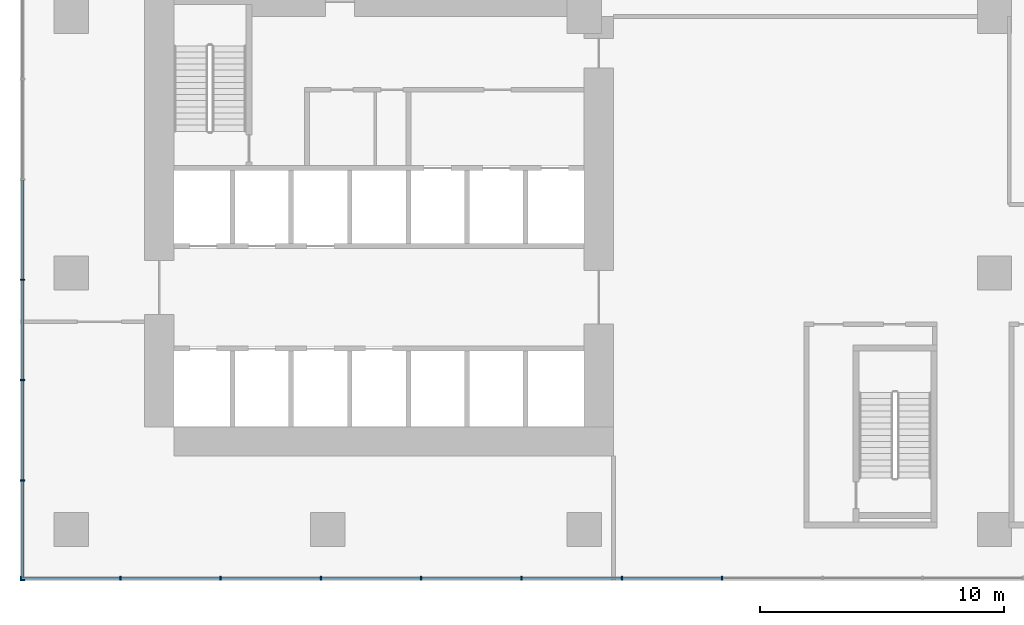
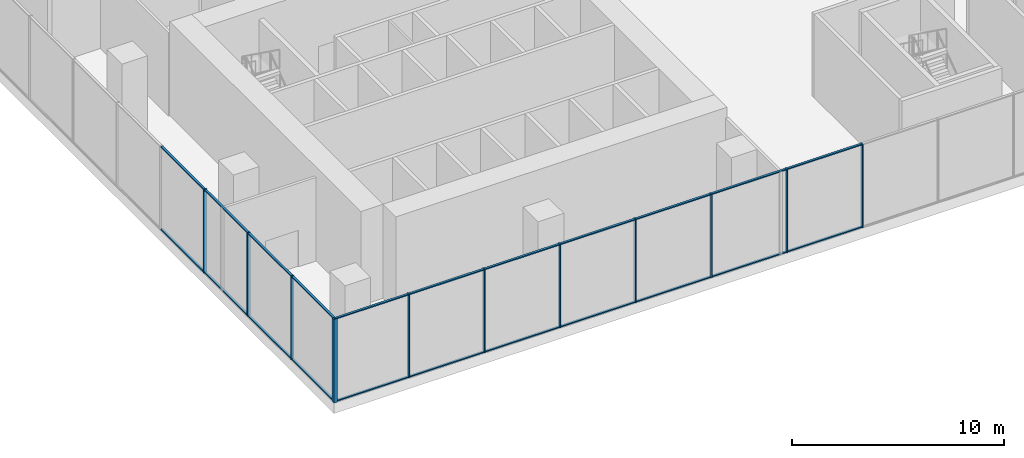
# One storey, part 2 of 23: 34 members, 2 elements without a shape of their own.
"""IFC4 building model written with IfcOpenShell, lengths in metres."""

from ifc_helpers import new_model, si_unit, direction, frame, origin, origin_2d, place, context, subcontext, project, spatial, rectangle, extrude, source, transform, mapped, material, layer, layer_set, material_profile, profile_set, type_object, element, aggregate, save


model = new_model("IFC4")

# Units and contexts
model_context = context("Model", 3, precision=1e-05, world=origin(), true_north=direction((0.0, 1.0)))
body_context = subcontext(model_context, "Body", "Model", "MODEL_VIEW")
ifc_project = project(units=[si_unit("LENGTHUNIT", "METRE"), si_unit("AREAUNIT", "SQUARE_METRE"), si_unit("VOLUMEUNIT", "CUBIC_METRE"), si_unit("PLANEANGLEUNIT", "RADIAN"), si_unit("MASSUNIT", "GRAM", prefix="KILO")], contexts=[model_context])

# Site, building, storey
site_placement = place(None, origin())
site = spatial("IfcSite", under=ifc_project, at=site_placement, CompositionType="ELEMENT")
building_placement = place(site_placement, origin())
building = spatial("IfcBuilding", under=site, at=building_placement, Name="Aurelian Terraces", CompositionType="ELEMENT")
storey_placement = place(building_placement, frame((0.0, 0.0, 23.7)))
storey = spatial("IfcBuildingStorey", under=building, at=storey_placement, Name="L04", CompositionType="ELEMENT", Elevation=23.7)

# Curtain wall, members
ifc_material_1 = material(Name="Anodised aluminium and clear glazing", Category="aluminium")
ifc_layer = layer(ifc_material_1, 0.2)
ifc_layer_set = layer_set([ifc_layer], Name="Winter garden glazing curtain wall")
curtain_wall_type = type_object("IfcCurtainWallType", Name="Winter garden glazing curtain wall", PredefinedType="NOTDEFINED", material=ifc_layer_set)
curtain_wall_1_placement = place(storey_placement, origin())
curtain_wall_1 = element("IfcCurtainWall", 1, at=curtain_wall_1_placement, inside=storey, type_object=curtain_wall_type, Name="Winter garden glazing L04 F01.1", PredefinedType="NOTDEFINED")
ifc_material_2 = material(Name="Anodised aluminium", Category="aluminium")
ifc_material_profile_1 = material_profile(ifc_material_2, rectangle(XDim=0.18, YDim=0.06, at=origin_2d()))
ifc_profile_set_1 = profile_set([ifc_material_profile_1], Name="Anodised aluminium")
member_type_1 = type_object("IfcMemberType", Name="Winter garden glazing mullion", PredefinedType="MULLION", material=ifc_profile_set_1)
shared_shape_1 = source(origin(), body_context, "Body", "SweptSolid", [
    extrude(rectangle(XDim=0.18, YDim=0.06, at=origin_2d()), origin(), (0.0, 0.0, 1.0), 4.8),
])
member_1_placement = place(storey_placement, frame((-2.07, -2.0, 0.0), z_axis=(0.0, 0.0, 1.0), x_axis=(0.0, 1.0, 0.0)))
member_1 = element("IfcMember", 2, at=member_1_placement, type_object=member_type_1, Name="CW6 mullion 1", PredefinedType="MULLION", context=body_context, shape_type="MappedRepresentation", body=[
    mapped(shared_shape_1, transform((0.0, 0.0, 0.0), scale=1.0)),
])
member_2_placement = place(storey_placement, frame((2.0067, -2.0, 0.0), z_axis=(0.0, 0.0, 1.0), x_axis=(0.0, 1.0, 0.0)))
member_2 = element("IfcMember", 3, at=member_2_placement, type_object=member_type_1, Name="CW6 mullion 2", PredefinedType="MULLION", context=body_context, shape_type="MappedRepresentation", body=[
    mapped(shared_shape_1, transform((0.0, 0.0, 0.0), scale=1.0)),
])
member_3_placement = place(storey_placement, frame((6.1133, -2.0, 0.0), z_axis=(0.0, 0.0, 1.0), x_axis=(0.0, 1.0, 0.0)))
member_3 = element("IfcMember", 4, at=member_3_placement, type_object=member_type_1, Name="CW6 mullion 3", PredefinedType="MULLION", context=body_context, shape_type="MappedRepresentation", body=[
    mapped(shared_shape_1, transform((0.0, 0.0, 0.0), scale=1.0)),
])
member_4_placement = place(storey_placement, frame((10.22, -2.0, 0.0), z_axis=(0.0, 0.0, 1.0), x_axis=(0.0, 1.0, 0.0)))
member_4 = element("IfcMember", 5, at=member_4_placement, type_object=member_type_1, Name="CW6 mullion 4", PredefinedType="MULLION", context=body_context, shape_type="MappedRepresentation", body=[
    mapped(shared_shape_1, transform((0.0, 0.0, 0.0), scale=1.0)),
])
member_5_placement = place(storey_placement, frame((14.3267, -2.0, 0.0), z_axis=(0.0, 0.0, 1.0), x_axis=(0.0, 1.0, 0.0)))
member_5 = element("IfcMember", 6, at=member_5_placement, type_object=member_type_1, Name="CW6 mullion 5", PredefinedType="MULLION", context=body_context, shape_type="MappedRepresentation", body=[
    mapped(shared_shape_1, transform((0.0, 0.0, 0.0), scale=1.0)),
])
member_6_placement = place(storey_placement, frame((18.4333, -2.0, 0.0), z_axis=(0.0, 0.0, 1.0), x_axis=(0.0, 1.0, 0.0)))
member_6 = element("IfcMember", 7, at=member_6_placement, type_object=member_type_1, Name="CW6 mullion 6", PredefinedType="MULLION", context=body_context, shape_type="MappedRepresentation", body=[
    mapped(shared_shape_1, transform((0.0, 0.0, 0.0), scale=1.0)),
])
member_7_placement = place(storey_placement, frame((22.54, -2.0, 0.0), z_axis=(0.0, 0.0, 1.0), x_axis=(0.0, 1.0, 0.0)))
member_7 = element("IfcMember", 8, at=member_7_placement, type_object=member_type_1, Name="CW6 mullion 7", PredefinedType="MULLION", context=body_context, shape_type="MappedRepresentation", body=[
    mapped(shared_shape_1, transform((0.0, 0.0, 0.0), scale=1.0)),
])
member_8_placement = place(storey_placement, frame((26.6467, -2.0, 0.0), z_axis=(0.0, 0.0, 1.0), x_axis=(0.0, 1.0, 0.0)))
member_8 = element("IfcMember", 9, at=member_8_placement, type_object=member_type_1, Name="CW6 mullion 8", PredefinedType="MULLION", context=body_context, shape_type="MappedRepresentation", body=[
    mapped(shared_shape_1, transform((0.0, 0.0, 0.0), scale=1.0)),
])

curtain_wall_2_placement = place(storey_placement, origin())
curtain_wall_2 = element("IfcCurtainWall", 10, at=curtain_wall_2_placement, inside=storey, type_object=curtain_wall_type, Name="Winter garden glazing L04 F06.1", PredefinedType="NOTDEFINED")
member_9_placement = place(storey_placement, frame((-2.0, 10.22, 0.0), z_axis=(0.0, 0.0, 1.0), x_axis=(1.0, 0.0, 0.0)))
member_9 = element("IfcMember", 11, at=member_9_placement, type_object=member_type_1, Name="CW6 mullion 16", PredefinedType="MULLION", context=body_context, shape_type="MappedRepresentation", body=[
    mapped(shared_shape_1, transform((0.0, 0.0, 0.0), scale=1.0)),
])
member_10_placement = place(storey_placement, frame((-2.0, 6.1133, 0.0), z_axis=(0.0, 0.0, 1.0), x_axis=(1.0, 0.0, 0.0)))
member_10 = element("IfcMember", 12, at=member_10_placement, type_object=member_type_1, Name="CW6 mullion 17", PredefinedType="MULLION", context=body_context, shape_type="MappedRepresentation", body=[
    mapped(shared_shape_1, transform((0.0, 0.0, 0.0), scale=1.0)),
])
member_11_placement = place(storey_placement, frame((-2.0, 2.0067, 0.0), z_axis=(0.0, 0.0, 1.0), x_axis=(1.0, 0.0, 0.0)))
member_11 = element("IfcMember", 13, at=member_11_placement, type_object=member_type_1, Name="CW6 mullion 18", PredefinedType="MULLION", context=body_context, shape_type="MappedRepresentation", body=[
    mapped(shared_shape_1, transform((0.0, 0.0, 0.0), scale=1.0)),
])
member_12_placement = place(storey_placement, frame((-2.0, -2.07, 0.0), z_axis=(0.0, 0.0, 1.0), x_axis=(1.0, 0.0, 0.0)))
member_12 = element("IfcMember", 14, at=member_12_placement, type_object=member_type_1, Name="CW6 mullion 19", PredefinedType="MULLION", context=body_context, shape_type="MappedRepresentation", body=[
    mapped(shared_shape_1, transform((0.0, 0.0, 0.0), scale=1.0)),
])

# Member
ifc_material_profile_2 = material_profile(ifc_material_2, rectangle(XDim=0.12, YDim=0.06, at=origin_2d()))
ifc_profile_set_2 = profile_set([ifc_material_profile_2], Name="Anodised aluminium")
member_type_2 = type_object("IfcMemberType", Name="Winter garden glazing transom", PredefinedType="USERDEFINED", material=ifc_profile_set_2)
shared_shape_2 = source(origin(), body_context, "Body", "SweptSolid", [
    extrude(rectangle(XDim=0.12, YDim=0.06, at=origin_2d()), origin(), (0.0, 0.0, 1.0), 4.0167),
])
member_13_placement = place(storey_placement, frame((-2.04, -2.0, 0.03), z_axis=(1.0, 0.0, 0.0), x_axis=(0.0, 1.0, 0.0)))
member_13 = element("IfcMember", 15, at=member_13_placement, type_object=member_type_2, Name="CW6 transom 1.1", ObjectType="TRANSOM", PredefinedType="USERDEFINED", context=body_context, shape_type="MappedRepresentation", body=[
    mapped(shared_shape_2, transform((0.0, 0.0, 0.0), scale=1.0)),
])

member_14_placement = place(storey_placement, frame((-2.04, -2.0, 4.77), z_axis=(1.0, 0.0, 0.0), x_axis=(0.0, 1.0, 0.0)))
member_14 = element("IfcMember", 16, at=member_14_placement, type_object=member_type_2, Name="CW6 transom 1.2", ObjectType="TRANSOM", PredefinedType="USERDEFINED", context=body_context, shape_type="MappedRepresentation", body=[
    mapped(shared_shape_2, transform((0.0, 0.0, 0.0), scale=1.0)),
])

member_15_placement = place(storey_placement, frame((-2.0, 1.9767, 0.03), z_axis=(0.0, -1.0, 0.0), x_axis=(1.0, 0.0, 0.0)))
member_15 = element("IfcMember", 17, at=member_15_placement, type_object=member_type_2, Name="CW6 transom 18.1", ObjectType="TRANSOM", PredefinedType="USERDEFINED", context=body_context, shape_type="MappedRepresentation", body=[
    mapped(shared_shape_2, transform((0.0, 0.0, 0.0), scale=1.0)),
])

member_16_placement = place(storey_placement, frame((-2.0, 1.9767, 4.77), z_axis=(0.0, -1.0, 0.0), x_axis=(1.0, 0.0, 0.0)))
member_16 = element("IfcMember", 18, at=member_16_placement, type_object=member_type_2, Name="CW6 transom 18.2", ObjectType="TRANSOM", PredefinedType="USERDEFINED", context=body_context, shape_type="MappedRepresentation", body=[
    mapped(shared_shape_2, transform((0.0, 0.0, 0.0), scale=1.0)),
])

shared_shape_3 = source(origin(), body_context, "Body", "SweptSolid", [
    extrude(rectangle(XDim=0.12, YDim=0.06, at=origin_2d()), origin(), (0.0, 0.0, 1.0), 4.0466),
])
member_17_placement = place(storey_placement, frame((2.0367, -2.0, 0.03), z_axis=(1.0, 0.0, 0.0), x_axis=(0.0, 1.0, 0.0)))
member_17 = element("IfcMember", 19, at=member_17_placement, type_object=member_type_2, Name="CW6 transom 2.1", ObjectType="TRANSOM", PredefinedType="USERDEFINED", context=body_context, shape_type="MappedRepresentation", body=[
    mapped(shared_shape_3, transform((0.0, 0.0, 0.0), scale=1.0)),
])

member_18_placement = place(storey_placement, frame((2.0367, -2.0, 4.77), z_axis=(1.0, 0.0, 0.0), x_axis=(0.0, 1.0, 0.0)))
member_18 = element("IfcMember", 20, at=member_18_placement, type_object=member_type_2, Name="CW6 transom 2.2", ObjectType="TRANSOM", PredefinedType="USERDEFINED", context=body_context, shape_type="MappedRepresentation", body=[
    mapped(shared_shape_3, transform((0.0, 0.0, 0.0), scale=1.0)),
])

member_19_placement = place(storey_placement, frame((14.3567, -2.0, 0.03), z_axis=(1.0, 0.0, 0.0), x_axis=(0.0, 1.0, 0.0)))
member_19 = element("IfcMember", 21, at=member_19_placement, type_object=member_type_2, Name="CW6 transom 5.1", ObjectType="TRANSOM", PredefinedType="USERDEFINED", context=body_context, shape_type="MappedRepresentation", body=[
    mapped(shared_shape_3, transform((0.0, 0.0, 0.0), scale=1.0)),
])

member_20_placement = place(storey_placement, frame((14.3567, -2.0, 4.77), z_axis=(1.0, 0.0, 0.0), x_axis=(0.0, 1.0, 0.0)))
member_20 = element("IfcMember", 22, at=member_20_placement, type_object=member_type_2, Name="CW6 transom 5.2", ObjectType="TRANSOM", PredefinedType="USERDEFINED", context=body_context, shape_type="MappedRepresentation", body=[
    mapped(shared_shape_3, transform((0.0, 0.0, 0.0), scale=1.0)),
])

member_21_placement = place(storey_placement, frame((-2.0, 6.0833, 0.03), z_axis=(0.0, -1.0, 0.0), x_axis=(1.0, 0.0, 0.0)))
member_21 = element("IfcMember", 23, at=member_21_placement, type_object=member_type_2, Name="CW6 transom 17.1", ObjectType="TRANSOM", PredefinedType="USERDEFINED", context=body_context, shape_type="MappedRepresentation", body=[
    mapped(shared_shape_3, transform((0.0, 0.0, 0.0), scale=1.0)),
])

member_22_placement = place(storey_placement, frame((-2.0, 6.0833, 4.77), z_axis=(0.0, -1.0, 0.0), x_axis=(1.0, 0.0, 0.0)))
member_22 = element("IfcMember", 24, at=member_22_placement, type_object=member_type_2, Name="CW6 transom 17.2", ObjectType="TRANSOM", PredefinedType="USERDEFINED", context=body_context, shape_type="MappedRepresentation", body=[
    mapped(shared_shape_3, transform((0.0, 0.0, 0.0), scale=1.0)),
])

shared_shape_4 = source(origin(), body_context, "Body", "SweptSolid", [
    extrude(rectangle(XDim=0.12, YDim=0.06, at=origin_2d()), origin(), (0.0, 0.0, 1.0), 4.0467),
])
member_23_placement = place(storey_placement, frame((6.1433, -2.0, 0.03), z_axis=(1.0, 0.0, 0.0), x_axis=(0.0, 1.0, 0.0)))
member_23 = element("IfcMember", 25, at=member_23_placement, type_object=member_type_2, Name="CW6 transom 3.1", ObjectType="TRANSOM", PredefinedType="USERDEFINED", context=body_context, shape_type="MappedRepresentation", body=[
    mapped(shared_shape_4, transform((0.0, 0.0, 0.0), scale=1.0)),
])

member_24_placement = place(storey_placement, frame((6.1433, -2.0, 4.77), z_axis=(1.0, 0.0, 0.0), x_axis=(0.0, 1.0, 0.0)))
member_24 = element("IfcMember", 26, at=member_24_placement, type_object=member_type_2, Name="CW6 transom 3.2", ObjectType="TRANSOM", PredefinedType="USERDEFINED", context=body_context, shape_type="MappedRepresentation", body=[
    mapped(shared_shape_4, transform((0.0, 0.0, 0.0), scale=1.0)),
])

member_25_placement = place(storey_placement, frame((10.25, -2.0, 0.03), z_axis=(1.0, 0.0, 0.0), x_axis=(0.0, 1.0, 0.0)))
member_25 = element("IfcMember", 27, at=member_25_placement, type_object=member_type_2, Name="CW6 transom 4.1", ObjectType="TRANSOM", PredefinedType="USERDEFINED", context=body_context, shape_type="MappedRepresentation", body=[
    mapped(shared_shape_4, transform((0.0, 0.0, 0.0), scale=1.0)),
])

member_26_placement = place(storey_placement, frame((10.25, -2.0, 4.77), z_axis=(1.0, 0.0, 0.0), x_axis=(0.0, 1.0, 0.0)))
member_26 = element("IfcMember", 28, at=member_26_placement, type_object=member_type_2, Name="CW6 transom 4.2", ObjectType="TRANSOM", PredefinedType="USERDEFINED", context=body_context, shape_type="MappedRepresentation", body=[
    mapped(shared_shape_4, transform((0.0, 0.0, 0.0), scale=1.0)),
])

member_27_placement = place(storey_placement, frame((18.4633, -2.0, 0.03), z_axis=(1.0, 0.0, 0.0), x_axis=(0.0, 1.0, 0.0)))
member_27 = element("IfcMember", 29, at=member_27_placement, type_object=member_type_2, Name="CW6 transom 6.1", ObjectType="TRANSOM", PredefinedType="USERDEFINED", context=body_context, shape_type="MappedRepresentation", body=[
    mapped(shared_shape_4, transform((0.0, 0.0, 0.0), scale=1.0)),
])

member_28_placement = place(storey_placement, frame((18.4633, -2.0, 4.77), z_axis=(1.0, 0.0, 0.0), x_axis=(0.0, 1.0, 0.0)))
member_28 = element("IfcMember", 30, at=member_28_placement, type_object=member_type_2, Name="CW6 transom 6.2", ObjectType="TRANSOM", PredefinedType="USERDEFINED", context=body_context, shape_type="MappedRepresentation", body=[
    mapped(shared_shape_4, transform((0.0, 0.0, 0.0), scale=1.0)),
])

member_29_placement = place(storey_placement, frame((22.57, -2.0, 0.03), z_axis=(1.0, 0.0, 0.0), x_axis=(0.0, 1.0, 0.0)))
member_29 = element("IfcMember", 31, at=member_29_placement, type_object=member_type_2, Name="CW6 transom 7.1", ObjectType="TRANSOM", PredefinedType="USERDEFINED", context=body_context, shape_type="MappedRepresentation", body=[
    mapped(shared_shape_4, transform((0.0, 0.0, 0.0), scale=1.0)),
])

member_30_placement = place(storey_placement, frame((22.57, -2.0, 4.77), z_axis=(1.0, 0.0, 0.0), x_axis=(0.0, 1.0, 0.0)))
member_30 = element("IfcMember", 32, at=member_30_placement, type_object=member_type_2, Name="CW6 transom 7.2", ObjectType="TRANSOM", PredefinedType="USERDEFINED", context=body_context, shape_type="MappedRepresentation", body=[
    mapped(shared_shape_4, transform((0.0, 0.0, 0.0), scale=1.0)),
])

aggregate(curtain_wall_1, [member_1, member_2, member_3, member_4, member_5, member_6, member_7, member_8, member_13, member_14, member_17, member_18, member_23, member_24, member_25, member_26, member_19, member_20, member_27, member_28, member_29, member_30])

member_31_placement = place(storey_placement, frame((-2.0, 14.2967, 0.03), z_axis=(0.0, -1.0, 0.0), x_axis=(1.0, 0.0, 0.0)))
member_31 = element("IfcMember", 33, at=member_31_placement, type_object=member_type_2, Name="CW6 transom 15.1", ObjectType="TRANSOM", PredefinedType="USERDEFINED", context=body_context, shape_type="MappedRepresentation", body=[
    mapped(shared_shape_4, transform((0.0, 0.0, 0.0), scale=1.0)),
])

member_32_placement = place(storey_placement, frame((-2.0, 14.2967, 4.77), z_axis=(0.0, -1.0, 0.0), x_axis=(1.0, 0.0, 0.0)))
member_32 = element("IfcMember", 34, at=member_32_placement, type_object=member_type_2, Name="CW6 transom 15.2", ObjectType="TRANSOM", PredefinedType="USERDEFINED", context=body_context, shape_type="MappedRepresentation", body=[
    mapped(shared_shape_4, transform((0.0, 0.0, 0.0), scale=1.0)),
])

member_33_placement = place(storey_placement, frame((-2.0, 10.19, 0.03), z_axis=(0.0, -1.0, 0.0), x_axis=(1.0, 0.0, 0.0)))
member_33 = element("IfcMember", 35, at=member_33_placement, type_object=member_type_2, Name="CW6 transom 16.1", ObjectType="TRANSOM", PredefinedType="USERDEFINED", context=body_context, shape_type="MappedRepresentation", body=[
    mapped(shared_shape_4, transform((0.0, 0.0, 0.0), scale=1.0)),
])

member_34_placement = place(storey_placement, frame((-2.0, 10.19, 4.77), z_axis=(0.0, -1.0, 0.0), x_axis=(1.0, 0.0, 0.0)))
member_34 = element("IfcMember", 36, at=member_34_placement, type_object=member_type_2, Name="CW6 transom 16.2", ObjectType="TRANSOM", PredefinedType="USERDEFINED", context=body_context, shape_type="MappedRepresentation", body=[
    mapped(shared_shape_4, transform((0.0, 0.0, 0.0), scale=1.0)),
])

aggregate(curtain_wall_2, [member_9, member_10, member_11, member_12, member_31, member_32, member_33, member_34, member_21, member_22, member_15, member_16])

save(model, "model.ifc")
